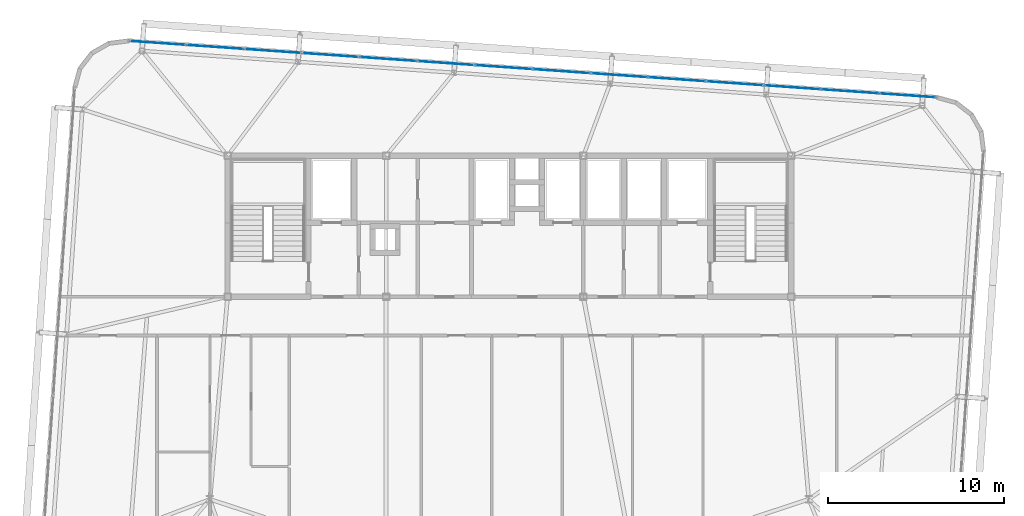
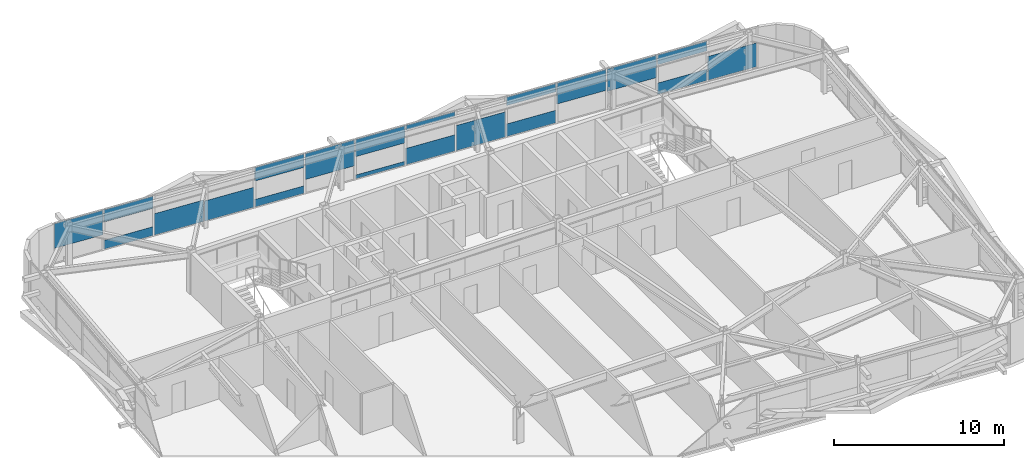
# One storey, part 32 of 47: 20 plates, 1 element without a shape of its own.
"""IFC4 building model written with IfcOpenShell, lengths in metres."""

from ifc_helpers import new_model, si_unit, direction, frame, origin, origin_2d, place, context, subcontext, project, spatial, rectangle, extrude, source, transform, mapped, material, layer, layer_set, type_object, element, aggregate, save


model = new_model("IFC4")

# Units and contexts
model_context = context("Model", 3, precision=1e-05, world=origin(), true_north=direction((0.0, 1.0)))
body_context = subcontext(model_context, "Body", "Model", "MODEL_VIEW")
ifc_project = project(units=[si_unit("LENGTHUNIT", "METRE"), si_unit("AREAUNIT", "SQUARE_METRE"), si_unit("VOLUMEUNIT", "CUBIC_METRE"), si_unit("PLANEANGLEUNIT", "RADIAN"), si_unit("MASSUNIT", "GRAM", prefix="KILO")], contexts=[model_context])

# Site, building, storey
site_placement = place(None, origin())
site = spatial("IfcSite", under=ifc_project, at=site_placement, CompositionType="ELEMENT")
building_placement = place(site_placement, origin())
building = spatial("IfcBuilding", under=site, at=building_placement, Name="Taldren Reach Tower", CompositionType="ELEMENT")
storey_placement = place(building_placement, frame((0.0, 0.0, 139.300048828125)))
storey = spatial("IfcBuildingStorey", under=building, at=storey_placement, Name="L42", CompositionType="ELEMENT", Elevation=139.300048828125)

# Curtain wall, plates
ifc_material_1 = material(Name="Aluminium and Low-E Glass Unitised System", Category="aluminium")
ifc_layer_1 = layer(ifc_material_1, 0.159912109375)
ifc_layer_set_1 = layer_set([ifc_layer_1], Name="Aluminium and Low-E Glass Unitised System")
curtain_wall_type = type_object("IfcCurtainWallType", Name="CW-SYS-4", PredefinedType="NOTDEFINED", material=ifc_layer_set_1)
curtain_wall_placement = place(storey_placement, origin())
curtain_wall = element("IfcCurtainWall", 1, at=curtain_wall_placement, inside=storey, type_object=curtain_wall_type, Name="Unitised curtain wall CW-L42-N", PredefinedType="NOTDEFINED")
ifc_material_2 = material(Name="Solar-Control Double Glazed IGU", Category="glass")
ifc_layer_2 = layer(ifc_material_2, 0.031982421875)
ifc_layer_set_2 = layer_set([ifc_layer_2], Name="Solar-Control Double Glazed IGU")
plate_type = type_object("IfcPlateType", Name="CW-PNL-IGU32", PredefinedType="CURTAIN_PANEL", material=ifc_layer_set_2)
shared_shape_1 = source(origin(), body_context, "Body", "SweptSolid", [
    extrude(rectangle(XDim=3.1806640625, YDim=0.031982421875, at=origin_2d()), origin(), (0.0, 0.0, 1.0), 1.766845703125),
])
plate_1_placement = place(storey_placement, frame((15.038330078125, 38.407470703125, 1.10791015625), z_axis=(0.0, 0.0, 1.0), x_axis=(-0.99756404731, 0.06975651593, 0.0)))
plate_1 = element("IfcPlate", 2, at=plate_1_placement, type_object=plate_type, Name="CW-4 panel 14.1 part 1", PredefinedType="CURTAIN_PANEL", context=body_context, shape_type="MappedRepresentation", body=[
    mapped(shared_shape_1, transform((0.0, 0.0, 0.0), scale=1.0)),
])
shared_shape_2 = source(origin(), body_context, "Body", "SweptSolid", [
    extrude(rectangle(XDim=3.2158203125, YDim=0.031982421875, at=origin_2d()), origin(), (0.0, 0.0, 1.0), 0.63720703125),
])
plate_2_placement = place(storey_placement, frame((18.298583984375, 38.179443359375, 0.054931640625), z_axis=(0.0, 0.0, 1.0), x_axis=(-0.99756404731, 0.06975651593, 0.0)))
plate_2 = element("IfcPlate", 3, at=plate_2_placement, type_object=plate_type, Name="CW-4 panel 13.1 part 1", PredefinedType="CURTAIN_PANEL", context=body_context, shape_type="MappedRepresentation", body=[
    mapped(shared_shape_2, transform((0.0, 0.0, 0.0), scale=1.0)),
])
shared_shape_3 = source(origin(), body_context, "Body", "SweptSolid", [
    extrude(rectangle(XDim=3.2158203125, YDim=0.031982421875, at=origin_2d()), origin(), (0.0, 0.0, 1.0), 0.86767578125),
])
plate_3_placement = place(storey_placement, frame((18.298583984375, 38.179443359375, 2.00732421875), z_axis=(0.0, 0.0, 1.0), x_axis=(-0.99756404731, 0.06975651593, 0.0)))
plate_3 = element("IfcPlate", 4, at=plate_3_placement, type_object=plate_type, Name="CW-4 panel 13.1 part 2", PredefinedType="CURTAIN_PANEL", context=body_context, shape_type="MappedRepresentation", body=[
    mapped(shared_shape_3, transform((0.0, 0.0, 0.0), scale=1.0)),
])
shared_shape_4 = source(origin(), body_context, "Body", "SweptSolid", [
    extrude(rectangle(XDim=3.2158203125, YDim=0.031982421875, at=origin_2d()), origin(), (0.0, 0.0, 1.0), 1.536376953125),
])
plate_4_placement = place(storey_placement, frame((21.576416015625, 37.950439453125, 0.05517578125), z_axis=(0.0, 0.0, 1.0), x_axis=(-0.99756404731, 0.06975651593, 0.0)))
plate_4 = element("IfcPlate", 5, at=plate_4_placement, type_object=plate_type, Name="CW-4 panel 12.1 part 1", PredefinedType="CURTAIN_PANEL", context=body_context, shape_type="MappedRepresentation", body=[
    mapped(shared_shape_4, transform((0.0, 0.0, 0.0), scale=1.0)),
])
shared_shape_5 = source(origin(), body_context, "Body", "SweptSolid", [
    extrude(rectangle(XDim=3.2158203125, YDim=0.031982421875, at=origin_2d()), origin(), (0.0, 0.0, 1.0), 1.439453125),
])
plate_5_placement = place(storey_placement, frame((24.85400390625, 37.72119140625, 0.054931640625), z_axis=(0.0, 0.0, 1.0), x_axis=(-0.99756404731, 0.06975651593, 0.0)))
plate_5 = element("IfcPlate", 6, at=plate_5_placement, type_object=plate_type, Name="CW-4 panel 11.1 part 1", PredefinedType="CURTAIN_PANEL", context=body_context, shape_type="MappedRepresentation", body=[
    mapped(shared_shape_5, transform((0.0, 0.0, 0.0), scale=1.0)),
])
shared_shape_6 = source(origin(), body_context, "Body", "SweptSolid", [
    extrude(rectangle(XDim=3.2158203125, YDim=0.031982421875, at=origin_2d()), origin(), (0.0, 0.0, 1.0), 0.540283203125),
])
plate_6_placement = place(storey_placement, frame((28.1318359375, 37.491943359375, 0.05517578125), z_axis=(0.0, 0.0, 1.0), x_axis=(-0.99756404731, 0.06975651593, 0.0)))
plate_6 = element("IfcPlate", 7, at=plate_6_placement, type_object=plate_type, Name="CW-4 panel 10.1 part 1", PredefinedType="CURTAIN_PANEL", context=body_context, shape_type="MappedRepresentation", body=[
    mapped(shared_shape_6, transform((0.0, 0.0, 0.0), scale=1.0)),
])
shared_shape_7 = source(origin(), body_context, "Body", "SweptSolid", [
    extrude(rectangle(XDim=3.2158203125, YDim=0.031982421875, at=origin_2d()), origin(), (0.0, 0.0, 1.0), 0.964599609375),
])
plate_7_placement = place(storey_placement, frame((28.1318359375, 37.491943359375, 1.91015625), z_axis=(0.0, 0.0, 1.0), x_axis=(-0.99756404731, 0.06975651593, 0.0)))
plate_7 = element("IfcPlate", 8, at=plate_7_placement, type_object=plate_type, Name="CW-4 panel 10.1 part 2", PredefinedType="CURTAIN_PANEL", context=body_context, shape_type="MappedRepresentation", body=[
    mapped(shared_shape_7, transform((0.0, 0.0, 0.0), scale=1.0)),
])
shared_shape_8 = source(origin(), body_context, "Body", "SweptSolid", [
    extrude(rectangle(XDim=3.2158203125, YDim=0.031982421875, at=origin_2d()), origin(), (0.0, 0.0, 1.0), 1.86376953125),
])
plate_8_placement = place(storey_placement, frame((31.409423828125, 37.2626953125, 1.01123046875), z_axis=(0.0, 0.0, 1.0), x_axis=(-0.99756404731, 0.06975651593, 0.0)))
plate_8 = element("IfcPlate", 9, at=plate_8_placement, type_object=plate_type, Name="CW-4 panel 9.1 part 1", PredefinedType="CURTAIN_PANEL", context=body_context, shape_type="MappedRepresentation", body=[
    mapped(shared_shape_8, transform((0.0, 0.0, 0.0), scale=1.0)),
])
shared_shape_9 = source(origin(), body_context, "Body", "SweptSolid", [
    extrude(rectangle(XDim=3.2158203125, YDim=0.031982421875, at=origin_2d()), origin(), (0.0, 0.0, 1.0), 0.27294921875),
])
plate_9_placement = place(storey_placement, frame((34.687255859375, 37.033447265625, 0.054931640625), z_axis=(0.0, 0.0, 1.0), x_axis=(-0.99756404731, 0.06975651593, 0.0)))
plate_9 = element("IfcPlate", 10, at=plate_9_placement, type_object=plate_type, Name="CW-4 panel 8.1 part 1", PredefinedType="CURTAIN_PANEL", context=body_context, shape_type="MappedRepresentation", body=[
    mapped(shared_shape_9, transform((0.0, 0.0, 0.0), scale=1.0)),
])
shared_shape_10 = source(origin(), body_context, "Body", "SweptSolid", [
    extrude(rectangle(XDim=3.2158203125, YDim=0.031982421875, at=origin_2d()), origin(), (0.0, 0.0, 1.0), 1.23193359375),
])
plate_10_placement = place(storey_placement, frame((34.687255859375, 37.033447265625, 1.64306640625), z_axis=(0.0, 0.0, 1.0), x_axis=(-0.99756404731, 0.06975651593, 0.0)))
plate_10 = element("IfcPlate", 11, at=plate_10_placement, type_object=plate_type, Name="CW-4 panel 8.1 part 2", PredefinedType="CURTAIN_PANEL", context=body_context, shape_type="MappedRepresentation", body=[
    mapped(shared_shape_10, transform((0.0, 0.0, 0.0), scale=1.0)),
])
shared_shape_11 = source(origin(), body_context, "Body", "SweptSolid", [
    extrude(rectangle(XDim=3.2158203125, YDim=0.031982421875, at=origin_2d()), origin(), (0.0, 0.0, 1.0), 1.172119140625),
])
plate_11_placement = place(storey_placement, frame((37.96484375, 36.804443359375, 0.0546875), z_axis=(0.0, 0.0, 1.0), x_axis=(-0.99756404731, 0.06975651593, 0.0)))
plate_11 = element("IfcPlate", 12, at=plate_11_placement, type_object=plate_type, Name="CW-4 panel 7.1 part 1", PredefinedType="CURTAIN_PANEL", context=body_context, shape_type="MappedRepresentation", body=[
    mapped(shared_shape_11, transform((0.0, 0.0, 0.0), scale=1.0)),
])
shared_shape_12 = source(origin(), body_context, "Body", "SweptSolid", [
    extrude(rectangle(XDim=3.2158203125, YDim=0.031982421875, at=origin_2d()), origin(), (0.0, 0.0, 1.0), 0.3330078125),
])
plate_12_placement = place(storey_placement, frame((37.96484375, 36.804443359375, 2.5419921875), z_axis=(0.0, 0.0, 1.0), x_axis=(-0.99756404731, 0.06975651593, 0.0)))
plate_12 = element("IfcPlate", 13, at=plate_12_placement, type_object=plate_type, Name="CW-4 panel 7.1 part 2", PredefinedType="CURTAIN_PANEL", context=body_context, shape_type="MappedRepresentation", body=[
    mapped(shared_shape_12, transform((0.0, 0.0, 0.0), scale=1.0)),
])
shared_shape_13 = source(origin(), body_context, "Body", "SweptSolid", [
    extrude(rectangle(XDim=3.2158203125, YDim=0.031982421875, at=origin_2d()), origin(), (0.0, 0.0, 1.0), 1.8037109375),
])
plate_13_placement = place(storey_placement, frame((41.24267578125, 36.5751953125, 0.054931640625), z_axis=(0.0, 0.0, 1.0), x_axis=(-0.99756404731, 0.06975651593, 0.0)))
plate_13 = element("IfcPlate", 14, at=plate_13_placement, type_object=plate_type, Name="CW-4 panel 6.1 part 1", PredefinedType="CURTAIN_PANEL", context=body_context, shape_type="MappedRepresentation", body=[
    mapped(shared_shape_13, transform((0.0, 0.0, 0.0), scale=1.0)),
])
shared_shape_14 = source(origin(), body_context, "Body", "SweptSolid", [
    extrude(rectangle(XDim=3.2158203125, YDim=0.031982421875, at=origin_2d()), origin(), (0.0, 0.0, 1.0), 0.904541015625),
])
plate_14_placement = place(storey_placement, frame((44.520263671875, 36.345947265625, 0.05517578125), z_axis=(0.0, 0.0, 1.0), x_axis=(-0.99756404731, 0.06975651593, 0.0)))
plate_14 = element("IfcPlate", 15, at=plate_14_placement, type_object=plate_type, Name="CW-4 panel 5.1 part 1", PredefinedType="CURTAIN_PANEL", context=body_context, shape_type="MappedRepresentation", body=[
    mapped(shared_shape_14, transform((0.0, 0.0, 0.0), scale=1.0)),
])
shared_shape_15 = source(origin(), body_context, "Body", "SweptSolid", [
    extrude(rectangle(XDim=3.2158203125, YDim=0.031982421875, at=origin_2d()), origin(), (0.0, 0.0, 1.0), 0.600341796875),
])
plate_15_placement = place(storey_placement, frame((44.520263671875, 36.345947265625, 2.2744140625), z_axis=(0.0, 0.0, 1.0), x_axis=(-0.99756404731, 0.06975651593, 0.0)))
plate_15 = element("IfcPlate", 16, at=plate_15_placement, type_object=plate_type, Name="CW-4 panel 5.1 part 2", PredefinedType="CURTAIN_PANEL", context=body_context, shape_type="MappedRepresentation", body=[
    mapped(shared_shape_15, transform((0.0, 0.0, 0.0), scale=1.0)),
])
shared_shape_16 = source(origin(), body_context, "Body", "SweptSolid", [
    extrude(rectangle(XDim=3.2158203125, YDim=0.031982421875, at=origin_2d()), origin(), (0.0, 0.0, 1.0), 1.49951171875),
])
plate_16_placement = place(storey_placement, frame((47.798095703125, 36.11669921875, 1.37548828125), z_axis=(0.0, 0.0, 1.0), x_axis=(-0.99756404731, 0.06975651593, 0.0)))
plate_16 = element("IfcPlate", 17, at=plate_16_placement, type_object=plate_type, Name="CW-4 panel 4.1 part 1", PredefinedType="CURTAIN_PANEL", context=body_context, shape_type="MappedRepresentation", body=[
    mapped(shared_shape_16, transform((0.0, 0.0, 0.0), scale=1.0)),
])
shared_shape_17 = source(origin(), body_context, "Body", "SweptSolid", [
    extrude(rectangle(XDim=3.2158203125, YDim=0.031982421875, at=origin_2d()), origin(), (0.0, 0.0, 1.0), 1.596435546875),
])
plate_17_placement = place(storey_placement, frame((51.07568359375, 35.887451171875, 1.2783203125), z_axis=(0.0, 0.0, 1.0), x_axis=(-0.99756404731, 0.06975651593, 0.0)))
plate_17 = element("IfcPlate", 18, at=plate_17_placement, type_object=plate_type, Name="CW-4 panel 3.1 part 1", PredefinedType="CURTAIN_PANEL", context=body_context, shape_type="MappedRepresentation", body=[
    mapped(shared_shape_17, transform((0.0, 0.0, 0.0), scale=1.0)),
])
shared_shape_18 = source(origin(), body_context, "Body", "SweptSolid", [
    extrude(rectangle(XDim=3.2158203125, YDim=0.031982421875, at=origin_2d()), origin(), (0.0, 0.0, 1.0), 0.8076171875),
])
plate_18_placement = place(storey_placement, frame((54.353515625, 35.658447265625, 0.054931640625), z_axis=(0.0, 0.0, 1.0), x_axis=(-0.99756404731, 0.06975651593, 0.0)))
plate_18 = element("IfcPlate", 19, at=plate_18_placement, type_object=plate_type, Name="CW-4 panel 2.1 part 1", PredefinedType="CURTAIN_PANEL", context=body_context, shape_type="MappedRepresentation", body=[
    mapped(shared_shape_18, transform((0.0, 0.0, 0.0), scale=1.0)),
])
shared_shape_19 = source(origin(), body_context, "Body", "SweptSolid", [
    extrude(rectangle(XDim=3.2158203125, YDim=0.031982421875, at=origin_2d()), origin(), (0.0, 0.0, 1.0), 0.697265625),
])
plate_19_placement = place(storey_placement, frame((54.353515625, 35.658447265625, 2.177734375), z_axis=(0.0, 0.0, 1.0), x_axis=(-0.99756404731, 0.06975651593, 0.0)))
plate_19 = element("IfcPlate", 20, at=plate_19_placement, type_object=plate_type, Name="CW-4 panel 2.1 part 2", PredefinedType="CURTAIN_PANEL", context=body_context, shape_type="MappedRepresentation", body=[
    mapped(shared_shape_19, transform((0.0, 0.0, 0.0), scale=1.0)),
])
shared_shape_20 = source(origin(), body_context, "Body", "SweptSolid", [
    extrude(rectangle(XDim=3.1806640625, YDim=0.031982421875, at=origin_2d()), origin(), (0.0, 0.0, 1.0), 1.706787109375),
])
plate_20_placement = place(storey_placement, frame((57.61376953125, 35.430419921875, 0.05517578125), z_axis=(0.0, 0.0, 1.0), x_axis=(-0.99756404731, 0.06975651593, 0.0)))
plate_20 = element("IfcPlate", 21, at=plate_20_placement, type_object=plate_type, Name="CW-4 panel 1.1 part 1", PredefinedType="CURTAIN_PANEL", context=body_context, shape_type="MappedRepresentation", body=[
    mapped(shared_shape_20, transform((0.0, 0.0, 0.0), scale=1.0)),
])
aggregate(curtain_wall, [plate_20, plate_18, plate_19, plate_17, plate_16, plate_14, plate_15, plate_13, plate_11, plate_12, plate_9, plate_10, plate_8, plate_6, plate_7, plate_5, plate_4, plate_2, plate_3, plate_1])

save(model, "model.ifc")
